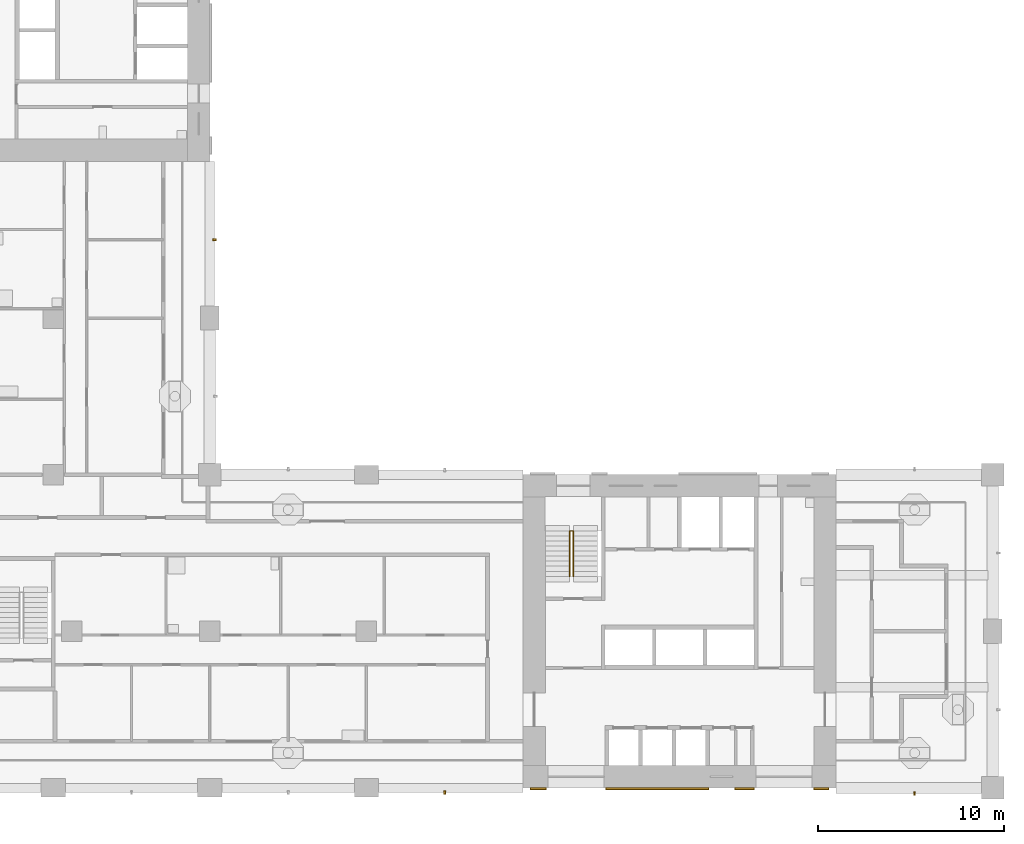
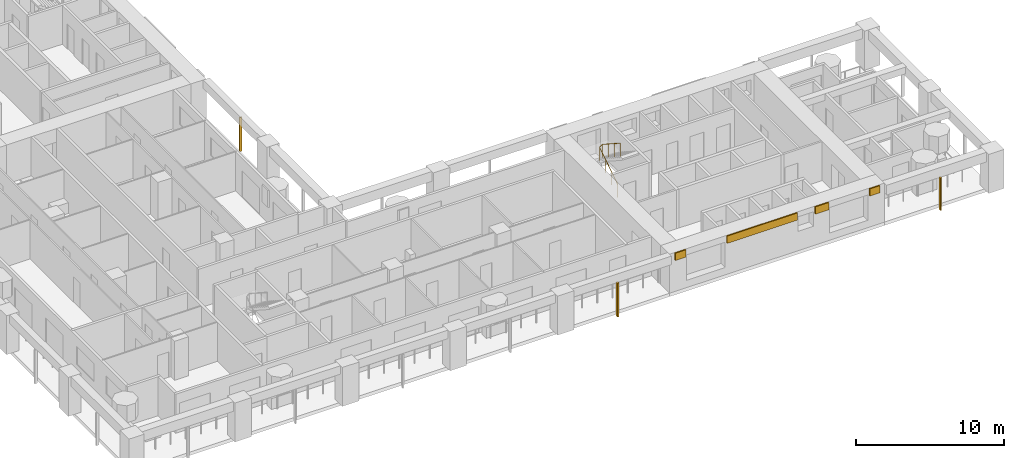
# One storey, part 11 of 18: 7 shading devices, 1 railing.
"""IFC4 building model written with IfcOpenShell, lengths in metres."""

import ifcopenshell
import ifcopenshell.guid

model = None  # the IFC model being written
_history = None  # IfcOwnerHistory: only IFC2X3 demands one
_inside = {}  # id of a spatial element -> (the spatial element, [elements in it])
_under = {}  # id of a project, library or spatial element -> (it, [spatial elements below it])
_declared = {}  # id of a project -> (the project, [libraries it declares])
_typed = {}  # id of a type object -> (the type object, [elements of that type])
_made_of = {}  # id of a material, layer set ... -> (it, [elements and type objects made of it])


def new_model(schema):
    """Start an empty IFC model of exactly this schema.

    Asked for "IFC4X3", IfcOpenShell would pick the latest addendum, in which some entities
    have other attributes; the version numbers below select the first issue.
    IFC2X3 requires an IfcOwnerHistory on every rooted entity: one is made here for all.
    """
    global model, _history
    if schema == "IFC4X3":
        model = ifcopenshell.file(schema_version=(4, 3, 0, 0))
    else:
        model = ifcopenshell.file(schema=schema)
    _inside.clear()
    _under.clear()
    _declared.clear()
    _typed.clear()
    _made_of.clear()
    _history = None
    if model.schema == "IFC2X3":
        org = make("IfcOrganization", Name="unknown")
        user = make(
            "IfcPersonAndOrganization",
            ThePerson=make("IfcPerson", FamilyName="unknown"),
            TheOrganization=org,
        )
        app = make(
            "IfcApplication",
            ApplicationDeveloper=org,
            Version="unknown",
            ApplicationFullName="unknown",
            ApplicationIdentifier="unknown",
        )
        _history = make(
            "IfcOwnerHistory",
            OwningUser=user,
            OwningApplication=app,
            ChangeAction="ADDED",
            CreationDate=0,
        )
    return model


def make(cls, **values):
    """One entity of the class cls with the attributes given. An attribute that is None is left unset."""
    return model.create_entity(
        cls, **{name: value for name, value in values.items() if value is not None}
    )


def rooted(cls, **values):
    """An entity with a GlobalId (a new one), such as an element, a storey or a relation."""
    return make(cls, GlobalId=ifcopenshell.guid.new(), OwnerHistory=_history, **values)


def si_unit(unit_type, name, prefix=None):
    """IfcSIUnit, for example si_unit("LENGTHUNIT", "METRE", prefix="MILLI")."""
    return make("IfcSIUnit", UnitType=unit_type, Prefix=prefix, Name=name)


def assignment(units):
    """IfcUnitAssignment: the units of a project."""
    return None if units is None else make("IfcUnitAssignment", Units=units)


def point(xyz):
    """IfcCartesianPoint."""
    return None if xyz is None else make("IfcCartesianPoint", Coordinates=xyz)


def direction(xyz):
    """IfcDirection."""
    return None if xyz is None else make("IfcDirection", DirectionRatios=xyz)


def frame(location, z_axis=None, x_axis=None):
    """IfcAxis2Placement3D, a coordinate frame: its origin and axes. An axis left out is left unset."""
    return make(
        "IfcAxis2Placement3D",
        Location=point(location),
        Axis=direction(z_axis),
        RefDirection=direction(x_axis),
    )


def frame_2d(location, x_axis=None):
    """IfcAxis2Placement2D, a coordinate frame in the plane: its origin and x axis."""
    return make(
        "IfcAxis2Placement2D", Location=point(location), RefDirection=direction(x_axis)
    )


def origin():
    """The frame at (0, 0, 0) with its axes left unset."""
    return frame((0.0, 0.0, 0.0))


def origin_2d():
    """The frame at (0, 0) in the plane with its x axis left unset."""
    return frame_2d((0.0, 0.0))


def place(relative_to, where):
    """IfcLocalPlacement: puts the frame where relative to a parent placement (None: the world)."""
    return make(
        "IfcLocalPlacement", PlacementRelTo=relative_to, RelativePlacement=where
    )


def context(
    kind, dimensions, precision=None, world=None, true_north=None, identifier=None
):
    """IfcGeometricRepresentationContext, for example the 3D "Model" context."""
    return make(
        "IfcGeometricRepresentationContext",
        ContextIdentifier=identifier,
        ContextType=kind,
        CoordinateSpaceDimension=dimensions,
        Precision=precision,
        WorldCoordinateSystem=world,
        TrueNorth=true_north,
    )


def subcontext(parent, identifier, kind, view, scale=None):
    """IfcGeometricRepresentationSubContext, for example "Body" below "Model"."""
    return make(
        "IfcGeometricRepresentationSubContext",
        ContextIdentifier=identifier,
        ContextType=kind,
        ParentContext=parent,
        TargetScale=scale,
        TargetView=view,
    )


def project(units=None, contexts=None):
    """IfcProject with its units and contexts."""
    return rooted(
        "IfcProject",
        Name="project",
        RepresentationContexts=contexts,
        UnitsInContext=assignment(units),
    )


def spatial(cls, under=None, at=None, **own):
    """A site, building, storey or space (cls), placed at a placement, below another one or the project."""
    s = rooted(cls, ObjectPlacement=at, **own)
    if under is not None:
        _under.setdefault(under.id(), (under, []))[1].append(s)
    return s


def profile(cls, at=None, kind="AREA", **sizes):
    """A parametric profile (cls). Its sizes go by their IFC names, for example OverallWidth=200.0."""
    return make(cls, ProfileType=kind, Position=at, **sizes)


def rectangle(**sizes):
    """IfcRectangleProfileDef."""
    return profile("IfcRectangleProfileDef", **sizes)


def circle(**sizes):
    """IfcCircleProfileDef."""
    return profile("IfcCircleProfileDef", **sizes)


def extrude(swept, where, along, depth):
    """IfcExtrudedAreaSolid: the profile swept, set in the frame where, extruded along a direction by depth."""
    return make(
        "IfcExtrudedAreaSolid",
        SweptArea=swept,
        Position=where,
        ExtrudedDirection=direction(along),
        Depth=depth,
    )


def shape(context_of_items, identifier, shape_type, items):
    """IfcShapeRepresentation: the items that make up one representation, for example the "Body"."""
    return make(
        "IfcShapeRepresentation",
        ContextOfItems=context_of_items,
        RepresentationIdentifier=identifier,
        RepresentationType=shape_type,
        Items=items,
    )


def material(Name=None, Category=None):
    """IfcMaterial."""
    return make("IfcMaterial", Name=Name, Category=Category)


def layer(
    of_material, thickness, ventilated=None, Name=None, Category=None, Priority=None
):
    """IfcMaterialLayer: one layer of a wall or slab, of a material (None: an air gap)."""
    return make(
        "IfcMaterialLayer",
        Material=of_material,
        LayerThickness=thickness,
        IsVentilated=ventilated,
        Name=Name,
        Category=Category,
        Priority=Priority,
    )


def layer_set(layers, Name=None):
    """IfcMaterialLayerSet."""
    return make("IfcMaterialLayerSet", MaterialLayers=layers, LayerSetName=Name)


def material_profile(
    of_material, cross_section, Name=None, Category=None, Priority=None
):
    """IfcMaterialProfile: a cross section and its material."""
    return make(
        "IfcMaterialProfile",
        Name=Name,
        Material=of_material,
        Profile=cross_section,
        Priority=Priority,
        Category=Category,
    )


def profile_set(profiles, Name=None, composite=None):
    """IfcMaterialProfileSet."""
    return make(
        "IfcMaterialProfileSet",
        Name=Name,
        MaterialProfiles=profiles,
        CompositeProfile=composite,
    )


def made_of(thing, what):
    """Note that an element or type object is made of a material, layer set ...; save() writes the relation."""
    if what is not None:
        _made_of.setdefault(what.id(), (what, []))[1].append(thing)
    return thing


def type_object(cls, material=None, **own):
    """A type object (cls), such as IfcWallType, which elements share."""
    return made_of(rooted(cls, **own), material)


def element(
    cls,
    number,
    at=None,
    inside=None,
    cuts=None,
    type_object=None,
    material=None,
    context=None,
    identifier="Body",
    shape_type=None,
    held_by="IfcProductDefinitionShape",
    body=None,
    shapes=None,
    **own,
):
    """One element of the class cls, such as IfcWall. Its Tag is "e" and its number.

    at: its placement. inside: the storey or other place that contains it. cuts: it is an
    opening in that element (IfcRelVoidsElement). A single representation is given by context,
    identifier, shape_type and body (its items); several are given by shapes. held_by: the class
    of the entity that holds the representations. save() writes the other relations.
    """
    e = rooted(cls, Tag="e%d" % number, ObjectPlacement=at, **own)
    if body is not None:
        shapes = [shape(context, identifier, shape_type, body)]
    if shapes is not None:
        e.Representation = make(held_by, Representations=shapes)
    if inside is not None:
        _inside.setdefault(inside.id(), (inside, []))[1].append(e)
    if cuts is not None:
        rooted(
            "IfcRelVoidsElement", RelatingBuildingElement=cuts, RelatedOpeningElement=e
        )
    if type_object is not None:
        _typed.setdefault(type_object.id(), (type_object, []))[1].append(e)
    return made_of(e, material)


def aggregate(whole, parts):
    """IfcRelAggregates: a whole, such as a stair, and the parts it consists of."""
    return rooted("IfcRelAggregates", RelatingObject=whole, RelatedObjects=parts)


def save(model, path):
    """Write the relations noted so far, then the file.

    IfcRelAggregates (storeys below a building ...), IfcRelContainedInSpatialStructure (elements
    in a storey), IfcRelDefinesByType, IfcRelAssociatesMaterial and IfcRelDeclares: one each for
    every whole, place, type object, material and project.
    """
    for whole, parts in _under.values():
        aggregate(whole, parts)
    for where, things in _inside.values():
        rooted(
            "IfcRelContainedInSpatialStructure",
            RelatedElements=things,
            RelatingStructure=where,
        )
    for kind, things in _typed.values():
        rooted("IfcRelDefinesByType", RelatedObjects=things, RelatingType=kind)
    for what, things in _made_of.values():
        rooted("IfcRelAssociatesMaterial", RelatedObjects=things, RelatingMaterial=what)
    for by, libraries in _declared.values():
        rooted("IfcRelDeclares", RelatingContext=by, RelatedDefinitions=libraries)
    model.write(path)


model = new_model("IFC4")

# Units and contexts
model_context = context("Model", 3, precision=1e-05, world=origin(), true_north=direction((0.0, 1.0)))
body_context = subcontext(model_context, "Body", "Model", "MODEL_VIEW")
ifc_project = project(units=[si_unit("LENGTHUNIT", "METRE"), si_unit("AREAUNIT", "SQUARE_METRE"), si_unit("VOLUMEUNIT", "CUBIC_METRE"), si_unit("PLANEANGLEUNIT", "RADIAN"), si_unit("MASSUNIT", "GRAM", prefix="KILO")], contexts=[model_context])

# Site, building, storey
site_placement = place(None, origin())
site = spatial("IfcSite", under=ifc_project, at=site_placement, CompositionType="ELEMENT")
building_placement = place(site_placement, origin())
building = spatial("IfcBuilding", under=site, at=building_placement, Name="Vermilion Gate Residences", CompositionType="ELEMENT")
storey_placement = place(building_placement, frame((0.0, 0.0, 105.699951171875)))
storey = spatial("IfcBuildingStorey", under=building, at=storey_placement, Name="L26", CompositionType="ELEMENT", Elevation=105.699951171875)

# Railing
ifc_material_1 = material(Name="Steel S355", Category="steel")
railing_type = type_object("IfcRailingType", Name="STAIR GUARD 1100 STEEL", PredefinedType="GUARDRAIL", material=ifc_material_1)
railing_placement = place(storey_placement, frame((44.5, 19.75, 0.175048828125)))
element("IfcRailing", 1, at=railing_placement, inside=storey, type_object=railing_type, Name="Stair well guard STA1-26", PredefinedType="GUARDRAIL", context=body_context, shape_type="SweptSolid", body=[
    extrude(circle(Radius=0.02392578125, at=origin_2d()), frame((0.0, 0.0, 1.076171875), z_axis=(0.0, 0.839153699163, 0.543894354798), x_axis=(-1.0, 0.0, 0.0)), (0.0, 0.0, 1.0), 2.895751953125),
    extrude(circle(Radius=0.02392578125, at=origin_2d()), frame((0.0, 2.429931640625, 2.65087890625), z_axis=(0.752405939678, 0.0, 0.658699705433), x_axis=(0.0, 1.0, 0.0)), (0.0, 0.0, 1.0), 0.265869140625),
    extrude(circle(Radius=0.02392578125, at=origin_2d()), frame((0.199951171875, 2.429931640625, 2.826171875), z_axis=(0.0, -0.839153699163, 0.543894354798), x_axis=(1.0, 0.0, 0.0)), (0.0, 0.0, 1.0), 2.895751953125),
    extrude(circle(Radius=0.02099609375, at=origin_2d()), origin(), (0.0, 0.0, 1.0), 1.052001953125),
    extrude(circle(Radius=0.02099609375, at=origin_2d()), frame((0.0, 0.81005859375, 0.52490234375)), (0.0, 0.0, 1.0), 1.052001953125),
    extrude(circle(Radius=0.02099609375, at=origin_2d()), frame((0.0, 1.619873046875, 1.050048828125)), (0.0, 0.0, 1.0), 1.052001953125),
    extrude(circle(Radius=0.02099609375, at=origin_2d()), frame((0.0, 2.429931640625, 1.574951171875)), (0.0, 0.0, 1.0), 1.052001953125),
    extrude(circle(Radius=0.02099609375, at=origin_2d()), frame((0.199951171875, 2.429931640625, 1.75)), (0.0, 0.0, 1.0), 1.052001953125),
    extrude(circle(Radius=0.02099609375, at=origin_2d()), frame((0.199951171875, 1.619873046875, 2.27490234375)), (0.0, 0.0, 1.0), 1.052001953125),
    extrude(circle(Radius=0.02099609375, at=origin_2d()), frame((0.199951171875, 0.81005859375, 2.800048828125)), (0.0, 0.0, 1.0), 1.052001953125),
    extrude(circle(Radius=0.02099609375, at=origin_2d()), frame((0.199951171875, 0.0, 3.324951171875)), (0.0, 0.0, 1.0), 1.052001953125),
])

# Shading devices
ifc_material_2 = material(Name="Extruded terracotta", Category="masonry")
ifc_material_profile = material_profile(ifc_material_2, rectangle(XDim=0.199951171875, YDim=0.10009765625, at=origin_2d()), Name="BAGUETTE 100 X 200")
ifc_profile_set = profile_set([ifc_material_profile], Name="Extruded terracotta")
shading_device_type_1 = type_object("IfcShadingDeviceType", Name="TERRACOTTA BAGUETTE 100 X 200", PredefinedType="JALOUSIE", material=ifc_profile_set)
shading_device_1_placement = place(storey_placement, frame((37.800048828125, 8.14990234375, -0.280029296875), z_axis=(0.0, 0.0, 1.0), x_axis=(0.0, 1.0, 0.0)))
element("IfcShadingDevice", 2, at=shading_device_1_placement, inside=storey, type_object=shading_device_type_1, Name="BAGUETTE", PredefinedType="JALOUSIE", context=body_context, shape_type="SweptSolid", body=[
    extrude(rectangle(XDim=0.199951171875, YDim=0.10009765625, at=origin_2d()), origin(), (0.0, 0.0, 1.0), 2.800048828125),
])
shading_device_2_placement = place(storey_placement, frame((63.0, 8.10009765625, -0.280029296875), z_axis=(0.0, 0.0, 1.0), x_axis=(0.0, 1.0, 0.0)))
element("IfcShadingDevice", 3, at=shading_device_2_placement, inside=storey, type_object=shading_device_type_1, Name="BAGUETTE", PredefinedType="JALOUSIE", context=body_context, shape_type="SweptSolid", body=[
    extrude(rectangle(XDim=0.199951171875, YDim=0.10009765625, at=origin_2d()), origin(), (0.0, 0.0, 1.0), 2.7001953125),
])
shading_device_3_placement = place(storey_placement, frame((25.449951171875, 37.800048828125, -0.280029296875), z_axis=(0.0, 0.0, 1.0), x_axis=(-1.0, 0.0, 0.0)))
element("IfcShadingDevice", 4, at=shading_device_3_placement, inside=storey, type_object=shading_device_type_1, Name="BAGUETTE", PredefinedType="JALOUSIE", context=body_context, shape_type="SweptSolid", body=[
    extrude(rectangle(XDim=0.199951171875, YDim=0.10009765625, at=origin_2d()), origin(), (0.0, 0.0, 1.0), 2.800048828125),
])
ifc_material_3 = material(Name="Extruded terracotta", Category="masonry")
ifc_layer = layer(ifc_material_3, 0.10009765625)
ifc_layer_set = layer_set([ifc_layer], Name="TERRACOTTA SPANDREL BAND 600 X 100")
shading_device_type_2 = type_object("IfcShadingDeviceType", Name="TERRACOTTA SPANDREL BAND 600 X 100", PredefinedType="USERDEFINED", material=ifc_layer_set)
shading_device_4_placement = place(storey_placement, frame((42.824951171875, 8.35009765625, 2.6201171875), z_axis=(0.0, 0.0, 1.0), x_axis=(1.0, 0.0, 0.0)))
element("IfcShadingDevice", 5, at=shading_device_4_placement, inside=storey, type_object=shading_device_type_2, Name="SPANDREL BAND", ObjectType="BAND", PredefinedType="USERDEFINED", context=body_context, shape_type="SweptSolid", body=[
    extrude(rectangle(XDim=0.85009765625, YDim=0.10009765625, at=origin_2d()), origin(), (0.0, 0.0, 1.0), 0.60009765625),
])
shading_device_5_placement = place(storey_placement, frame((49.199951171875, 8.35009765625, 2.6201171875), z_axis=(0.0, 0.0, 1.0), x_axis=(1.0, 0.0, 0.0)))
element("IfcShadingDevice", 6, at=shading_device_5_placement, inside=storey, type_object=shading_device_type_2, Name="SPANDREL BAND", ObjectType="BAND", PredefinedType="USERDEFINED", context=body_context, shape_type="SweptSolid", body=[
    extrude(rectangle(XDim=5.5, YDim=0.10009765625, at=origin_2d()), origin(), (0.0, 0.0, 1.0), 0.60009765625),
])
shading_device_6_placement = place(storey_placement, frame((53.875, 8.35009765625, 2.6201171875), z_axis=(0.0, 0.0, 1.0), x_axis=(1.0, 0.0, 0.0)))
element("IfcShadingDevice", 7, at=shading_device_6_placement, inside=storey, type_object=shading_device_type_2, Name="SPANDREL BAND", ObjectType="BAND", PredefinedType="USERDEFINED", context=body_context, shape_type="SweptSolid", body=[
    extrude(rectangle(XDim=1.050048828125, YDim=0.10009765625, at=origin_2d()), origin(), (0.0, 0.0, 1.0), 0.60009765625),
])
shading_device_7_placement = place(storey_placement, frame((58.0, 8.35009765625, 2.6201171875), z_axis=(0.0, 0.0, 1.0), x_axis=(1.0, 0.0, 0.0)))
element("IfcShadingDevice", 8, at=shading_device_7_placement, inside=storey, type_object=shading_device_type_2, Name="SPANDREL BAND", ObjectType="BAND", PredefinedType="USERDEFINED", context=body_context, shape_type="SweptSolid", body=[
    extrude(rectangle(XDim=0.800048828125, YDim=0.10009765625, at=origin_2d()), origin(), (0.0, 0.0, 1.0), 0.60009765625),
])

save(model, "model.ifc")
